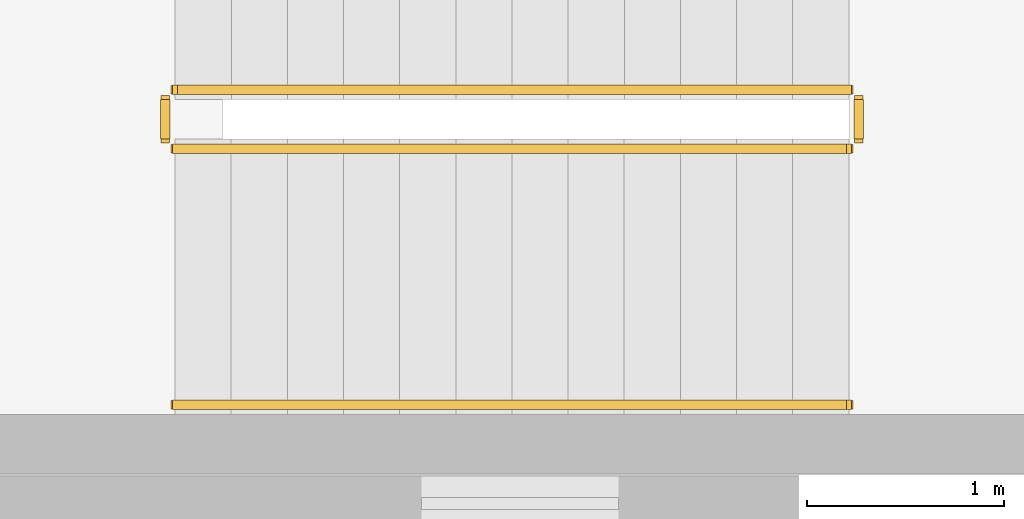
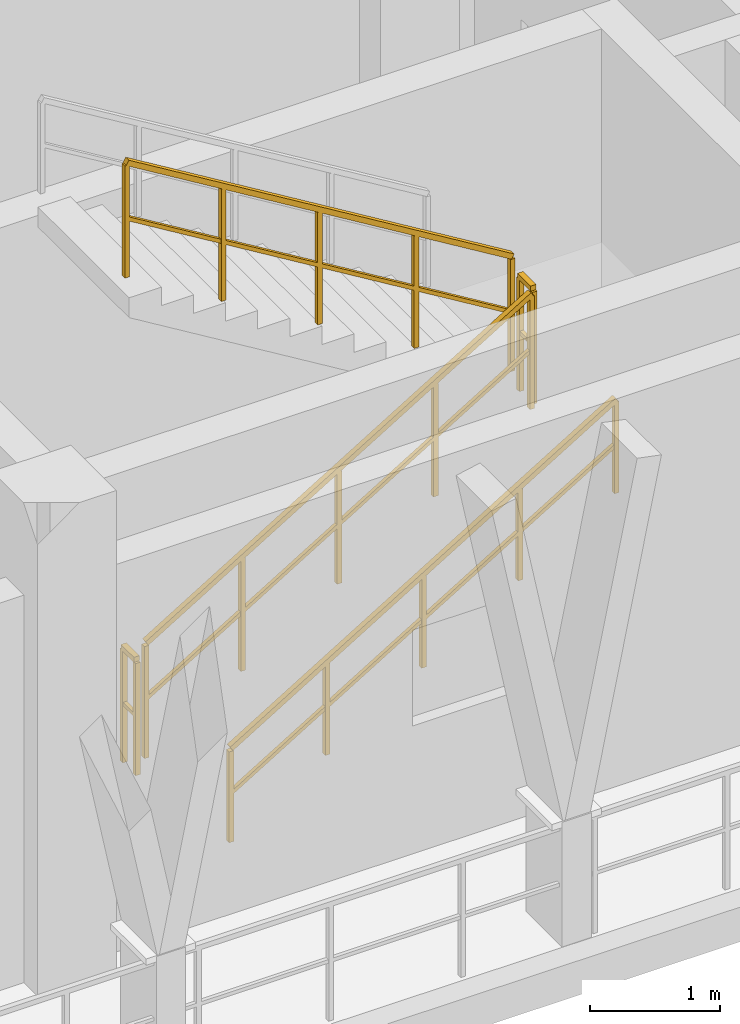
# One storey, part 108 of 110: 5 railings.
"""IFC4 building model written with IfcOpenShell, lengths in metres."""

from ifc_helpers import new_model, si_unit, direction, frame, origin, origin_2d, place, context, subcontext, project, spatial, rectangle, extrude, material, type_object, element, save


model = new_model("IFC4")

# Units and contexts
model_context = context("Model", 3, precision=1e-05, world=origin(), true_north=direction((0.0, 1.0)))
body_context = subcontext(model_context, "Body", "Model", "MODEL_VIEW")
ifc_project = project(units=[si_unit("LENGTHUNIT", "METRE"), si_unit("AREAUNIT", "SQUARE_METRE"), si_unit("VOLUMEUNIT", "CUBIC_METRE"), si_unit("PLANEANGLEUNIT", "RADIAN"), si_unit("MASSUNIT", "GRAM", prefix="KILO")], contexts=[model_context])

# Site, building, storey
site_placement = place(None, origin())
site = spatial("IfcSite", under=ifc_project, at=site_placement, CompositionType="ELEMENT")
building_placement = place(site_placement, origin())
building = spatial("IfcBuilding", under=site, at=building_placement, Name="Suanplinth Sawtooth Commons", CompositionType="ELEMENT")
storey_placement = place(building_placement, frame((0.0, 0.0, 4.5)))
storey = spatial("IfcBuildingStorey", under=building, at=storey_placement, Name="L01", CompositionType="ELEMENT", Elevation=4.5)

# Railings
ifc_material = material(Name="Stainless steel Grade 304", Category="steel")
railing_type_1 = type_object("IfcRailingType", Name="GR-04", PredefinedType="GUARDRAIL", material=ifc_material)
railing_1_placement = place(storey_placement, frame((138.64990234375, 109.800048828125, 0.173095703125)))
element("IfcRailing", 1, at=railing_1_placement, inside=storey, type_object=railing_type_1, Name="L01 ST-E1 Guard 1", PredefinedType="GUARDRAIL", context=body_context, shape_type="SweptSolid", body=[
    extrude(rectangle(XDim=0.048095703125, YDim=0.048095703125, at=origin_2d()), frame((0.0, 0.0, 1.076171875), z_axis=(0.854745945586, 0.0, 0.519046595696), x_axis=(0.0, 1.0, 0.0)), (0.0, 0.0, 1.0), 4.00146484375),
    extrude(rectangle(XDim=0.03369140625, YDim=0.03369140625, at=origin_2d()), frame((0.0, 0.0, 0.550048828125), z_axis=(0.854745945586, 0.0, 0.519046595696), x_axis=(0.0, 1.0, 0.0)), (0.0, 0.0, 1.0), 4.00146484375),
    extrude(rectangle(XDim=0.0419921875, YDim=0.0419921875, at=origin_2d()), origin(), (0.0, 0.0, 1.0), 1.052001953125),
    extrude(rectangle(XDim=0.0419921875, YDim=0.0419921875, at=origin_2d()), frame((0.85498046875, 0.0, 0.519287109375)), (0.0, 0.0, 1.0), 1.052001953125),
    extrude(rectangle(XDim=0.0419921875, YDim=0.0419921875, at=origin_2d()), frame((1.7099609375, 0.0, 1.03857421875)), (0.0, 0.0, 1.0), 1.052001953125),
    extrude(rectangle(XDim=0.0419921875, YDim=0.0419921875, at=origin_2d()), frame((2.565185546875, 0.0, 1.5576171875)), (0.0, 0.0, 1.0), 1.052001953125),
    extrude(rectangle(XDim=0.0419921875, YDim=0.0419921875, at=origin_2d()), frame((3.420166015625, 0.0, 2.076904296875)), (0.0, 0.0, 1.0), 1.052001953125),
])
railing_2_placement = place(storey_placement, frame((142.1201171875, 109.85009765625, 2.25)))
element("IfcRailing", 2, at=railing_2_placement, inside=storey, type_object=railing_type_1, Name="L01 ST-E1 Guard 2", PredefinedType="GUARDRAIL", context=body_context, shape_type="SweptSolid", body=[
    extrude(rectangle(XDim=0.048095703125, YDim=0.048095703125, at=origin_2d()), frame((0.0, 0.0, 1.076171875), z_axis=(0.0, 1.0, 0.0), x_axis=(-1.0, 0.0, 0.0)), (0.0, 0.0, 1.0), 0.199951171875),
    extrude(rectangle(XDim=0.03369140625, YDim=0.03369140625, at=origin_2d()), frame((0.0, 0.0, 0.550048828125), z_axis=(0.0, 1.0, 0.0), x_axis=(-1.0, 0.0, 0.0)), (0.0, 0.0, 1.0), 0.199951171875),
    extrude(rectangle(XDim=0.0419921875, YDim=0.0419921875, at=origin_2d()), origin(), (0.0, 0.0, 1.0), 1.052001953125),
    extrude(rectangle(XDim=0.0419921875, YDim=0.0419921875, at=origin_2d()), frame((0.0, 0.199951171875, 0.0)), (0.0, 0.0, 1.0), 1.052001953125),
])
railing_3_placement = place(storey_placement, frame((142.070068359375, 110.10009765625, 2.423095703125)))
element("IfcRailing", 3, at=railing_3_placement, inside=storey, type_object=railing_type_1, Name="L01 ST-E1 Guard 3", PredefinedType="GUARDRAIL", context=body_context, shape_type="SweptSolid", body=[
    extrude(rectangle(XDim=0.048095703125, YDim=0.048095703125, at=origin_2d()), frame((0.0, 0.0, 1.076171875), z_axis=(-0.854745945586, 0.0, 0.519046595696), x_axis=(0.0, -1.0, 0.0)), (0.0, 0.0, 1.0), 4.00146484375),
    extrude(rectangle(XDim=0.03369140625, YDim=0.03369140625, at=origin_2d()), frame((0.0, 0.0, 0.550048828125), z_axis=(-0.854745945586, 0.0, 0.519046595696), x_axis=(0.0, -1.0, 0.0)), (0.0, 0.0, 1.0), 4.00146484375),
    extrude(rectangle(XDim=0.0419921875, YDim=0.0419921875, at=origin_2d()), origin(), (0.0, 0.0, 1.0), 1.052001953125),
    extrude(rectangle(XDim=0.0419921875, YDim=0.0419921875, at=origin_2d()), frame((-0.85498046875, 0.0, 0.519287109375)), (0.0, 0.0, 1.0), 1.052001953125),
    extrude(rectangle(XDim=0.0419921875, YDim=0.0419921875, at=origin_2d()), frame((-1.7099609375, 0.0, 1.03857421875)), (0.0, 0.0, 1.0), 1.052001953125),
    extrude(rectangle(XDim=0.0419921875, YDim=0.0419921875, at=origin_2d()), frame((-2.565185546875, 0.0, 1.5576171875)), (0.0, 0.0, 1.0), 1.052001953125),
    extrude(rectangle(XDim=0.0419921875, YDim=0.0419921875, at=origin_2d()), frame((-3.420166015625, 0.0, 2.076904296875)), (0.0, 0.0, 1.0), 1.052001953125),
])
railing_4_placement = place(storey_placement, frame((138.60009765625, 109.85009765625, 0.0)))
element("IfcRailing", 4, at=railing_4_placement, inside=storey, type_object=railing_type_1, Name="L01 ST-E1 Guard 4", PredefinedType="GUARDRAIL", context=body_context, shape_type="SweptSolid", body=[
    extrude(rectangle(XDim=0.048095703125, YDim=0.048095703125, at=origin_2d()), frame((0.0, 0.0, 1.076171875), z_axis=(0.0, 1.0, 0.0), x_axis=(-1.0, 0.0, 0.0)), (0.0, 0.0, 1.0), 0.199951171875),
    extrude(rectangle(XDim=0.03369140625, YDim=0.03369140625, at=origin_2d()), frame((0.0, 0.0, 0.550048828125), z_axis=(0.0, 1.0, 0.0), x_axis=(-1.0, 0.0, 0.0)), (0.0, 0.0, 1.0), 0.199951171875),
    extrude(rectangle(XDim=0.0419921875, YDim=0.0419921875, at=origin_2d()), origin(), (0.0, 0.0, 1.0), 1.052001953125),
    extrude(rectangle(XDim=0.0419921875, YDim=0.0419921875, at=origin_2d()), frame((0.0, 0.199951171875, 0.0)), (0.0, 0.0, 1.0), 1.052001953125),
])
railing_type_2 = type_object("IfcRailingType", Name="HR-01", PredefinedType="HANDRAIL", material=ifc_material)
railing_5_placement = place(storey_placement, frame((138.64990234375, 108.5, 0.173095703125)))
element("IfcRailing", 5, at=railing_5_placement, inside=storey, type_object=railing_type_2, Name="L01 ST-E1 Handrail 1", PredefinedType="HANDRAIL", context=body_context, shape_type="SweptSolid", body=[
    extrude(rectangle(XDim=0.048095703125, YDim=0.048095703125, at=origin_2d()), frame((0.0, 0.0, 0.8759765625), z_axis=(0.854745945586, 0.0, 0.519046595696), x_axis=(0.0, 1.0, 0.0)), (0.0, 0.0, 1.0), 4.00146484375),
    extrude(rectangle(XDim=0.03369140625, YDim=0.03369140625, at=origin_2d()), frame((0.0, 0.0, 0.449951171875), z_axis=(0.854745945586, 0.0, 0.519046595696), x_axis=(0.0, 1.0, 0.0)), (0.0, 0.0, 1.0), 4.00146484375),
    extrude(rectangle(XDim=0.0419921875, YDim=0.0419921875, at=origin_2d()), origin(), (0.0, 0.0, 1.0), 0.851806640625),
    extrude(rectangle(XDim=0.0419921875, YDim=0.0419921875, at=origin_2d()), frame((0.85498046875, 0.0, 0.519287109375)), (0.0, 0.0, 1.0), 0.851806640625),
    extrude(rectangle(XDim=0.0419921875, YDim=0.0419921875, at=origin_2d()), frame((1.7099609375, 0.0, 1.03857421875)), (0.0, 0.0, 1.0), 0.851806640625),
    extrude(rectangle(XDim=0.0419921875, YDim=0.0419921875, at=origin_2d()), frame((2.565185546875, 0.0, 1.5576171875)), (0.0, 0.0, 1.0), 0.851806640625),
    extrude(rectangle(XDim=0.0419921875, YDim=0.0419921875, at=origin_2d()), frame((3.420166015625, 0.0, 2.076904296875)), (0.0, 0.0, 1.0), 0.851806640625),
])

save(model, "model.ifc")
